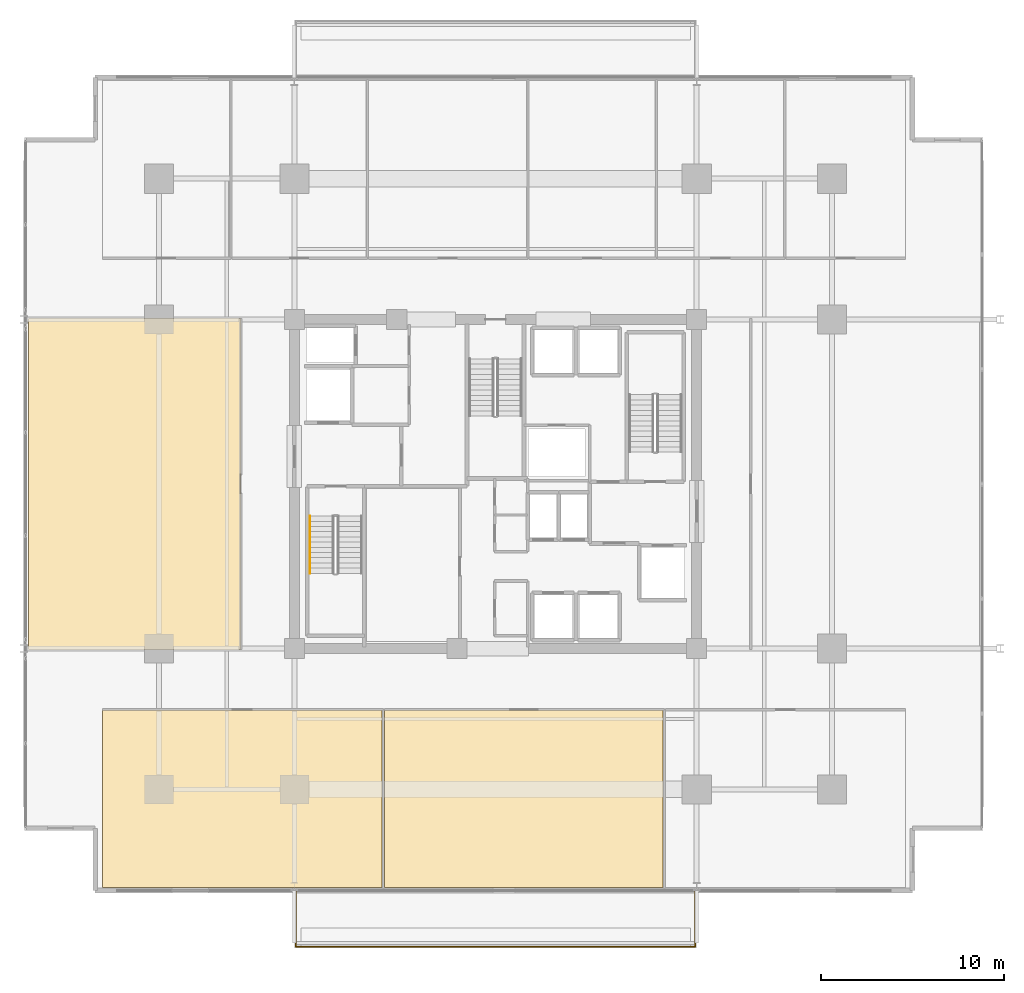
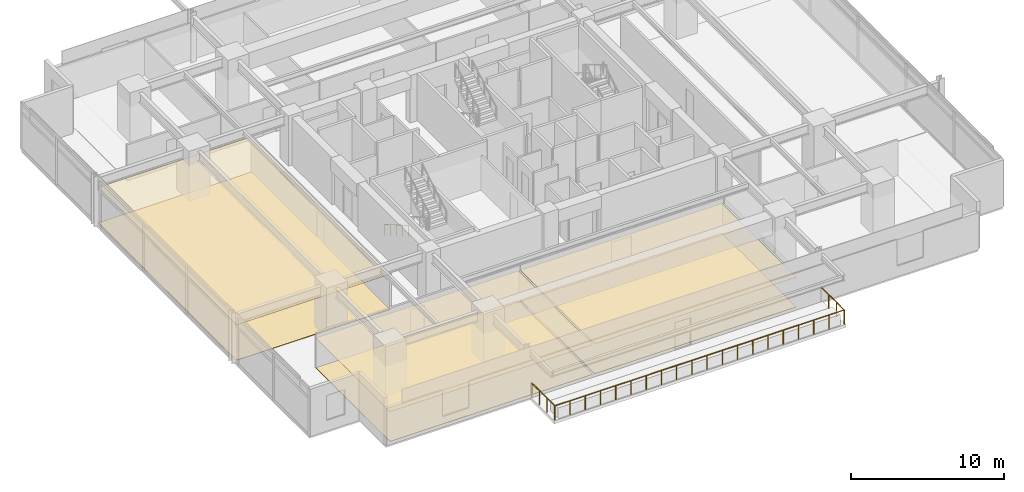
# One storey, part 18 of 21: 6 coverings, 2 railings.
"""IFC4 building model written with IfcOpenShell, lengths in metres."""

from ifc_helpers import new_model, si_unit, direction, frame, origin, origin_2d, place, context, subcontext, project, spatial, polyline, circle, outline, extrude, material, layer, layer_set, type_object, element, save


model = new_model("IFC4")

# Units and contexts
model_context = context("Model", 3, precision=1e-05, world=origin(), true_north=direction((0.0, 1.0)))
body_context = subcontext(model_context, "Body", "Model", "MODEL_VIEW")
ifc_project = project(units=[si_unit("LENGTHUNIT", "METRE"), si_unit("AREAUNIT", "SQUARE_METRE"), si_unit("VOLUMEUNIT", "CUBIC_METRE"), si_unit("PLANEANGLEUNIT", "RADIAN"), si_unit("MASSUNIT", "GRAM", prefix="KILO")], contexts=[model_context])

# Site, building, storey
site_placement = place(None, origin())
site = spatial("IfcSite", under=ifc_project, at=site_placement, CompositionType="ELEMENT")
building_placement = place(site_placement, origin())
building = spatial("IfcBuilding", under=site, at=building_placement, Name="Kovane Verandah Tower", CompositionType="ELEMENT")
storey_placement = place(building_placement, frame((0.0, 0.0, 152.39990234375)))
storey = spatial("IfcBuildingStorey", under=building, at=storey_placement, Name="L35", CompositionType="ELEMENT", Elevation=152.39990234375)

# Coverings
ifc_material_1 = material(Name="Perforated Acoustic Mineral-Fibre Ceiling Tile", Category="gypsum")
ifc_layer_1 = layer(ifc_material_1, 0.02490234375)
ifc_layer_set_1 = layer_set([ifc_layer_1], Name="Perforated Acoustic Mineral-Fibre Ceiling Tile")
covering_type_1 = type_object("IfcCoveringType", Name="CV-CEIL-25", PredefinedType="CEILING", material=ifc_layer_set_1)
covering_1_placement = place(storey_placement, frame((0.0, 0.0, 2.380126953125)))
element("IfcCovering", 1, at=covering_1_placement, inside=storey, type_object=covering_type_1, Name="L35 Executive Office S1 Acoustic Ceiling", PredefinedType="CEILING", context=body_context, shape_type="SweptSolid", body=[
    extrude(outline(polyline([(18.50390625, 5.4228515625), (33.7998046875, 5.4228515625), (33.7998046875, 15.14990234375), (18.50390625, 15.14990234375), (18.50390625, 5.4228515625)])), origin(), (0.0, 0.0, 1.0), 0.02490234375),
])
covering_2_placement = place(storey_placement, frame((0.0, 0.0, 2.380126953125)))
element("IfcCovering", 2, at=covering_2_placement, inside=storey, type_object=covering_type_1, Name="L35 Client Boardroom S2 Acoustic Ceiling", PredefinedType="CEILING", context=body_context, shape_type="SweptSolid", body=[
    extrude(outline(polyline([(33.939697265625, 5.4228515625), (49.165283203125, 5.4228515625), (49.165283203125, 15.14990234375), (33.939697265625, 15.14990234375), (33.939697265625, 5.4228515625)])), origin(), (0.0, 0.0, 1.0), 0.02490234375),
])
covering_3_placement = place(storey_placement, frame((0.0, 0.0, 2.8251953125)))
element("IfcCovering", 3, at=covering_3_placement, inside=storey, type_object=covering_type_1, Name="L35 Focus Studio W1 Acoustic Ceiling", PredefinedType="CEILING", context=body_context, shape_type="SweptSolid", body=[
    extrude(outline(polyline([(14.4541015625, 18.449951171875), (26.050048828125, 18.449951171875), (26.050048828125, 36.550048828125), (14.4541015625, 36.550048828125), (14.4541015625, 18.449951171875)])), origin(), (0.0, 0.0, 1.0), 0.02490234375),
])
ifc_material_2 = material(Name="Polished Terrazzo and Raised-Access Carpet Tile Finish", Category="concrete")
ifc_layer_2 = layer(ifc_material_2, 0.030029296875)
ifc_layer_set_2 = layer_set([ifc_layer_2], Name="Polished Terrazzo and Raised-Access Carpet Tile Finish")
covering_type_2 = type_object("IfcCoveringType", Name="CV-FLOR-30", PredefinedType="FLOORING", material=ifc_layer_set_2)
covering_4_placement = place(storey_placement, origin())
element("IfcCovering", 4, at=covering_4_placement, inside=storey, type_object=covering_type_2, Name="L35 Executive Office S1 Floor Finish", PredefinedType="FLOORING", context=body_context, shape_type="SweptSolid", body=[
    extrude(outline(polyline([(18.50390625, 5.4228515625), (33.7998046875, 5.4228515625), (33.7998046875, 15.14990234375), (18.50390625, 15.14990234375), (18.50390625, 5.4228515625)])), origin(), (0.0, 0.0, 1.0), 0.030029296875),
])
covering_5_placement = place(storey_placement, origin())
element("IfcCovering", 5, at=covering_5_placement, inside=storey, type_object=covering_type_2, Name="L35 Client Boardroom S2 Floor Finish", PredefinedType="FLOORING", context=body_context, shape_type="SweptSolid", body=[
    extrude(outline(polyline([(33.939697265625, 5.4228515625), (49.165283203125, 5.4228515625), (49.165283203125, 15.14990234375), (33.939697265625, 15.14990234375), (33.939697265625, 5.4228515625)])), origin(), (0.0, 0.0, 1.0), 0.030029296875),
])
covering_6_placement = place(storey_placement, origin())
element("IfcCovering", 6, at=covering_6_placement, inside=storey, type_object=covering_type_2, Name="L35 Focus Studio W1 Floor Finish", PredefinedType="FLOORING", context=body_context, shape_type="SweptSolid", body=[
    extrude(outline(polyline([(14.4541015625, 18.449951171875), (26.050048828125, 18.449951171875), (26.050048828125, 36.550048828125), (14.4541015625, 36.550048828125), (14.4541015625, 18.449951171875)])), origin(), (0.0, 0.0, 1.0), 0.030029296875),
])

# Railings
ifc_material_3 = material(Name="Laminated Glass and Pale-Champagne Stainless Balustrade", Category="glass")
railing_type_1 = type_object("IfcRailingType", Name="RL-BAL-1150", PredefinedType="BALUSTRADE", material=ifc_material_3)
railing_1_placement = place(storey_placement, frame((29.080078125, 5.222900390625, 0.0)))
element("IfcRailing", 7, at=railing_1_placement, inside=storey, type_object=railing_type_1, Name="L35 S Verandah Glass Balustrade", PredefinedType="BALUSTRADE", context=body_context, shape_type="SweptSolid", body=[
    extrude(circle(Radius=0.02392578125, at=origin_2d()), frame((0.0, 0.0, 1.1259765625), z_axis=(0.0, -1.0, 0.0), x_axis=(1.0, 0.0, 0.0)), (0.0, 0.0, 1.0), 3.02001953125),
    extrude(circle(Radius=0.02392578125, at=origin_2d()), frame((0.0, -3.02001953125, 1.1259765625), z_axis=(1.0, 0.0, 0.0), x_axis=(0.0, 1.0, 0.0)), (0.0, 0.0, 1.0), 21.83984375),
    extrude(circle(Radius=0.02392578125, at=origin_2d()), frame((21.83984375, -3.02001953125, 1.1259765625), z_axis=(0.0, 1.0, 0.0), x_axis=(-1.0, 0.0, 0.0)), (0.0, 0.0, 1.0), 3.02001953125),
    extrude(circle(Radius=0.02099609375, at=origin_2d()), origin(), (0.0, 0.0, 1.0), 1.101806640625),
    extrude(circle(Radius=0.02099609375, at=origin_2d()), frame((0.0, -1.006591796875, 0.0)), (0.0, 0.0, 1.0), 1.101806640625),
    extrude(circle(Radius=0.02099609375, at=origin_2d()), frame((0.0, -2.013427734375, 0.0)), (0.0, 0.0, 1.0), 1.101806640625),
    extrude(circle(Radius=0.02099609375, at=origin_2d()), frame((0.0, -3.02001953125, 0.0)), (0.0, 0.0, 1.0), 1.101806640625),
    extrude(circle(Radius=0.02099609375, at=origin_2d()), frame((1.1494140625, -3.02001953125, 0.0)), (0.0, 0.0, 1.0), 1.101806640625),
    extrude(circle(Radius=0.02099609375, at=origin_2d()), frame((2.298828125, -3.02001953125, 0.0)), (0.0, 0.0, 1.0), 1.101806640625),
    extrude(circle(Radius=0.02099609375, at=origin_2d()), frame((3.448486328125, -3.02001953125, 0.0)), (0.0, 0.0, 1.0), 1.101806640625),
    extrude(circle(Radius=0.02099609375, at=origin_2d()), frame((4.597900390625, -3.02001953125, 0.0)), (0.0, 0.0, 1.0), 1.101806640625),
    extrude(circle(Radius=0.02099609375, at=origin_2d()), frame((5.747314453125, -3.02001953125, 0.0)), (0.0, 0.0, 1.0), 1.101806640625),
    extrude(circle(Radius=0.02099609375, at=origin_2d()), frame((6.896728515625, -3.02001953125, 0.0)), (0.0, 0.0, 1.0), 1.101806640625),
    extrude(circle(Radius=0.02099609375, at=origin_2d()), frame((8.046142578125, -3.02001953125, 0.0)), (0.0, 0.0, 1.0), 1.101806640625),
    extrude(circle(Radius=0.02099609375, at=origin_2d()), frame((9.19580078125, -3.02001953125, 0.0)), (0.0, 0.0, 1.0), 1.101806640625),
    extrude(circle(Radius=0.02099609375, at=origin_2d()), frame((10.34521484375, -3.02001953125, 0.0)), (0.0, 0.0, 1.0), 1.101806640625),
    extrude(circle(Radius=0.02099609375, at=origin_2d()), frame((11.49462890625, -3.02001953125, 0.0)), (0.0, 0.0, 1.0), 1.101806640625),
    extrude(circle(Radius=0.02099609375, at=origin_2d()), frame((12.64404296875, -3.02001953125, 0.0)), (0.0, 0.0, 1.0), 1.101806640625),
    extrude(circle(Radius=0.02099609375, at=origin_2d()), frame((13.793701171875, -3.02001953125, 0.0)), (0.0, 0.0, 1.0), 1.101806640625),
    extrude(circle(Radius=0.02099609375, at=origin_2d()), frame((14.943115234375, -3.02001953125, 0.0)), (0.0, 0.0, 1.0), 1.101806640625),
    extrude(circle(Radius=0.02099609375, at=origin_2d()), frame((16.092529296875, -3.02001953125, 0.0)), (0.0, 0.0, 1.0), 1.101806640625),
    extrude(circle(Radius=0.02099609375, at=origin_2d()), frame((17.241943359375, -3.02001953125, 0.0)), (0.0, 0.0, 1.0), 1.101806640625),
    extrude(circle(Radius=0.02099609375, at=origin_2d()), frame((18.391357421875, -3.02001953125, 0.0)), (0.0, 0.0, 1.0), 1.101806640625),
    extrude(circle(Radius=0.02099609375, at=origin_2d()), frame((19.541015625, -3.02001953125, 0.0)), (0.0, 0.0, 1.0), 1.101806640625),
    extrude(circle(Radius=0.02099609375, at=origin_2d()), frame((20.6904296875, -3.02001953125, 0.0)), (0.0, 0.0, 1.0), 1.101806640625),
    extrude(circle(Radius=0.02099609375, at=origin_2d()), frame((21.83984375, -3.02001953125, 0.0)), (0.0, 0.0, 1.0), 1.101806640625),
    extrude(circle(Radius=0.02099609375, at=origin_2d()), frame((21.83984375, -2.013427734375, 0.0)), (0.0, 0.0, 1.0), 1.101806640625),
    extrude(circle(Radius=0.02099609375, at=origin_2d()), frame((21.83984375, -1.006591796875, 0.0)), (0.0, 0.0, 1.0), 1.101806640625),
    extrude(circle(Radius=0.02099609375, at=origin_2d()), frame((21.83984375, 0.0, 0.0)), (0.0, 0.0, 1.0), 1.101806640625),
])
ifc_material_4 = material(Name="Brushed Stainless Steel Handrail", Category="steel")
railing_type_2 = type_object("IfcRailingType", Name="RL-HAND-920", PredefinedType="HANDRAIL", material=ifc_material_4)
railing_2_placement = place(storey_placement, frame((29.85009765625, 25.75, 0.166748046875)))
element("IfcRailing", 8, at=railing_2_placement, inside=storey, type_object=railing_type_2, Name="L35 ST-01 stair handrail 1", PredefinedType="HANDRAIL", context=body_context, shape_type="SweptSolid", body=[
    extrude(circle(Radius=0.02392578125, at=origin_2d()), frame((0.0, 0.0, 0.8759765625), z_axis=(0.0, -0.863239559939, 0.504794475164), x_axis=(1.0, 0.0, 0.0)), (0.0, 0.0, 1.0), 3.631591796875),
    extrude(circle(Radius=0.02099609375, at=origin_2d()), origin(), (0.0, 0.0, 1.0), 0.851806640625),
    extrude(circle(Radius=0.02099609375, at=origin_2d()), frame((0.0, -0.78369140625, 0.458251953125)), (0.0, 0.0, 1.0), 0.851806640625),
    extrude(circle(Radius=0.02099609375, at=origin_2d()), frame((0.0, -1.5673828125, 0.91650390625)), (0.0, 0.0, 1.0), 0.851806640625),
    extrude(circle(Radius=0.02099609375, at=origin_2d()), frame((0.0, -2.351318359375, 1.375)), (0.0, 0.0, 1.0), 0.851806640625),
    extrude(circle(Radius=0.02099609375, at=origin_2d()), frame((0.0, -3.135009765625, 1.833251953125)), (0.0, 0.0, 1.0), 0.851806640625),
])

save(model, "model.ifc")
